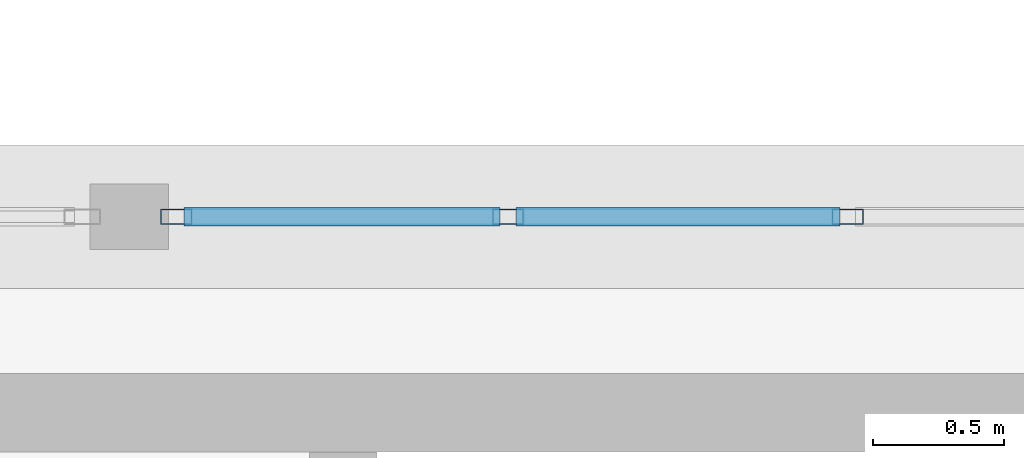
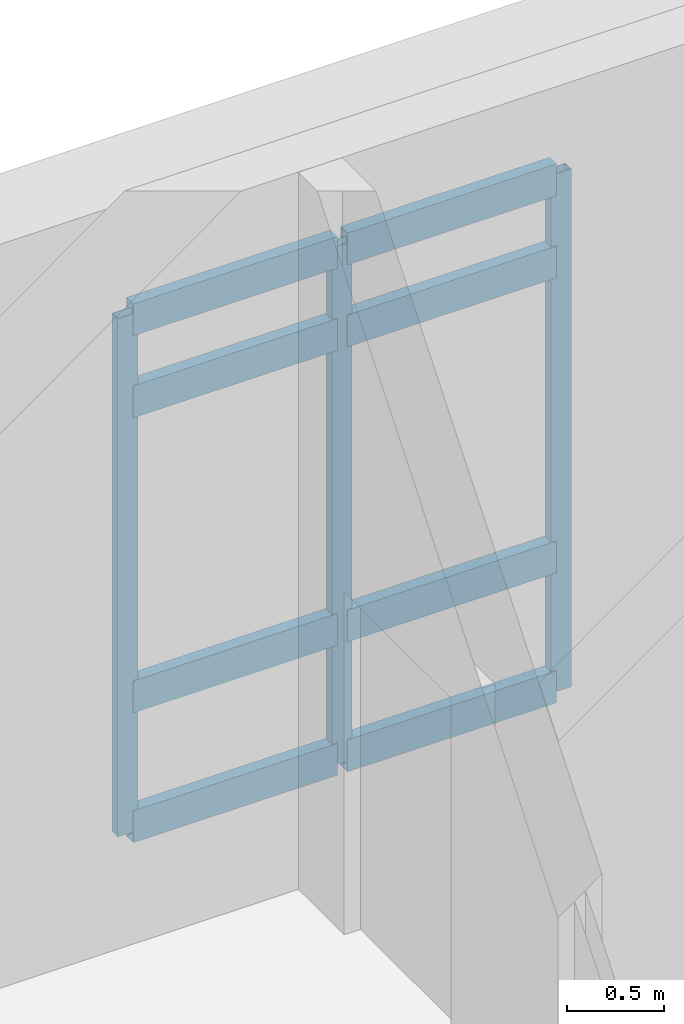
# One storey, part 26 of 80: 11 members, 1 element without a shape of its own.
"""IFC4 building model written with IfcOpenShell, lengths in metres."""

import ifcopenshell
import ifcopenshell.guid

model = None  # the IFC model being written
_history = None  # IfcOwnerHistory: only IFC2X3 demands one
_inside = {}  # id of a spatial element -> (the spatial element, [elements in it])
_under = {}  # id of a project, library or spatial element -> (it, [spatial elements below it])
_declared = {}  # id of a project -> (the project, [libraries it declares])
_typed = {}  # id of a type object -> (the type object, [elements of that type])
_made_of = {}  # id of a material, layer set ... -> (it, [elements and type objects made of it])


def new_model(schema):
    """Start an empty IFC model of exactly this schema.

    Asked for "IFC4X3", IfcOpenShell would pick the latest addendum, in which some entities
    have other attributes; the version numbers below select the first issue.
    IFC2X3 requires an IfcOwnerHistory on every rooted entity: one is made here for all.
    """
    global model, _history
    if schema == "IFC4X3":
        model = ifcopenshell.file(schema_version=(4, 3, 0, 0))
    else:
        model = ifcopenshell.file(schema=schema)
    _inside.clear()
    _under.clear()
    _declared.clear()
    _typed.clear()
    _made_of.clear()
    _history = None
    if model.schema == "IFC2X3":
        org = make("IfcOrganization", Name="unknown")
        user = make(
            "IfcPersonAndOrganization",
            ThePerson=make("IfcPerson", FamilyName="unknown"),
            TheOrganization=org,
        )
        app = make(
            "IfcApplication",
            ApplicationDeveloper=org,
            Version="unknown",
            ApplicationFullName="unknown",
            ApplicationIdentifier="unknown",
        )
        _history = make(
            "IfcOwnerHistory",
            OwningUser=user,
            OwningApplication=app,
            ChangeAction="ADDED",
            CreationDate=0,
        )
    return model


def make(cls, **values):
    """One entity of the class cls with the attributes given. An attribute that is None is left unset."""
    return model.create_entity(
        cls, **{name: value for name, value in values.items() if value is not None}
    )


def rooted(cls, **values):
    """An entity with a GlobalId (a new one), such as an element, a storey or a relation."""
    return make(cls, GlobalId=ifcopenshell.guid.new(), OwnerHistory=_history, **values)


def si_unit(unit_type, name, prefix=None):
    """IfcSIUnit, for example si_unit("LENGTHUNIT", "METRE", prefix="MILLI")."""
    return make("IfcSIUnit", UnitType=unit_type, Prefix=prefix, Name=name)


def assignment(units):
    """IfcUnitAssignment: the units of a project."""
    return None if units is None else make("IfcUnitAssignment", Units=units)


def point(xyz):
    """IfcCartesianPoint."""
    return None if xyz is None else make("IfcCartesianPoint", Coordinates=xyz)


def direction(xyz):
    """IfcDirection."""
    return None if xyz is None else make("IfcDirection", DirectionRatios=xyz)


def frame(location, z_axis=None, x_axis=None):
    """IfcAxis2Placement3D, a coordinate frame: its origin and axes. An axis left out is left unset."""
    return make(
        "IfcAxis2Placement3D",
        Location=point(location),
        Axis=direction(z_axis),
        RefDirection=direction(x_axis),
    )


def frame_2d(location, x_axis=None):
    """IfcAxis2Placement2D, a coordinate frame in the plane: its origin and x axis."""
    return make(
        "IfcAxis2Placement2D", Location=point(location), RefDirection=direction(x_axis)
    )


def origin():
    """The frame at (0, 0, 0) with its axes left unset."""
    return frame((0.0, 0.0, 0.0))


def origin_2d():
    """The frame at (0, 0) in the plane with its x axis left unset."""
    return frame_2d((0.0, 0.0))


def place(relative_to, where):
    """IfcLocalPlacement: puts the frame where relative to a parent placement (None: the world)."""
    return make(
        "IfcLocalPlacement", PlacementRelTo=relative_to, RelativePlacement=where
    )


def context(
    kind, dimensions, precision=None, world=None, true_north=None, identifier=None
):
    """IfcGeometricRepresentationContext, for example the 3D "Model" context."""
    return make(
        "IfcGeometricRepresentationContext",
        ContextIdentifier=identifier,
        ContextType=kind,
        CoordinateSpaceDimension=dimensions,
        Precision=precision,
        WorldCoordinateSystem=world,
        TrueNorth=true_north,
    )


def subcontext(parent, identifier, kind, view, scale=None):
    """IfcGeometricRepresentationSubContext, for example "Body" below "Model"."""
    return make(
        "IfcGeometricRepresentationSubContext",
        ContextIdentifier=identifier,
        ContextType=kind,
        ParentContext=parent,
        TargetScale=scale,
        TargetView=view,
    )


def project(units=None, contexts=None):
    """IfcProject with its units and contexts."""
    return rooted(
        "IfcProject",
        Name="project",
        RepresentationContexts=contexts,
        UnitsInContext=assignment(units),
    )


def spatial(cls, under=None, at=None, **own):
    """A site, building, storey or space (cls), placed at a placement, below another one or the project."""
    s = rooted(cls, ObjectPlacement=at, **own)
    if under is not None:
        _under.setdefault(under.id(), (under, []))[1].append(s)
    return s


def profile(cls, at=None, kind="AREA", **sizes):
    """A parametric profile (cls). Its sizes go by their IFC names, for example OverallWidth=200.0."""
    return make(cls, ProfileType=kind, Position=at, **sizes)


def hollow_rectangle(**sizes):
    """IfcRectangleHollowProfileDef."""
    return profile("IfcRectangleHollowProfileDef", **sizes)


def extrude(swept, where, along, depth):
    """IfcExtrudedAreaSolid: the profile swept, set in the frame where, extruded along a direction by depth."""
    return make(
        "IfcExtrudedAreaSolid",
        SweptArea=swept,
        Position=where,
        ExtrudedDirection=direction(along),
        Depth=depth,
    )


def shape(context_of_items, identifier, shape_type, items):
    """IfcShapeRepresentation: the items that make up one representation, for example the "Body"."""
    return make(
        "IfcShapeRepresentation",
        ContextOfItems=context_of_items,
        RepresentationIdentifier=identifier,
        RepresentationType=shape_type,
        Items=items,
    )


def material(Name=None, Category=None):
    """IfcMaterial."""
    return make("IfcMaterial", Name=Name, Category=Category)


def layer(
    of_material, thickness, ventilated=None, Name=None, Category=None, Priority=None
):
    """IfcMaterialLayer: one layer of a wall or slab, of a material (None: an air gap)."""
    return make(
        "IfcMaterialLayer",
        Material=of_material,
        LayerThickness=thickness,
        IsVentilated=ventilated,
        Name=Name,
        Category=Category,
        Priority=Priority,
    )


def layer_set(layers, Name=None):
    """IfcMaterialLayerSet."""
    return make("IfcMaterialLayerSet", MaterialLayers=layers, LayerSetName=Name)


def material_profile(
    of_material, cross_section, Name=None, Category=None, Priority=None
):
    """IfcMaterialProfile: a cross section and its material."""
    return make(
        "IfcMaterialProfile",
        Name=Name,
        Material=of_material,
        Profile=cross_section,
        Priority=Priority,
        Category=Category,
    )


def profile_set(profiles, Name=None, composite=None):
    """IfcMaterialProfileSet."""
    return make(
        "IfcMaterialProfileSet",
        Name=Name,
        MaterialProfiles=profiles,
        CompositeProfile=composite,
    )


def made_of(thing, what):
    """Note that an element or type object is made of a material, layer set ...; save() writes the relation."""
    if what is not None:
        _made_of.setdefault(what.id(), (what, []))[1].append(thing)
    return thing


def type_object(cls, material=None, **own):
    """A type object (cls), such as IfcWallType, which elements share."""
    return made_of(rooted(cls, **own), material)


def element(
    cls,
    number,
    at=None,
    inside=None,
    cuts=None,
    type_object=None,
    material=None,
    context=None,
    identifier="Body",
    shape_type=None,
    held_by="IfcProductDefinitionShape",
    body=None,
    shapes=None,
    **own,
):
    """One element of the class cls, such as IfcWall. Its Tag is "e" and its number.

    at: its placement. inside: the storey or other place that contains it. cuts: it is an
    opening in that element (IfcRelVoidsElement). A single representation is given by context,
    identifier, shape_type and body (its items); several are given by shapes. held_by: the class
    of the entity that holds the representations. save() writes the other relations.
    """
    e = rooted(cls, Tag="e%d" % number, ObjectPlacement=at, **own)
    if body is not None:
        shapes = [shape(context, identifier, shape_type, body)]
    if shapes is not None:
        e.Representation = make(held_by, Representations=shapes)
    if inside is not None:
        _inside.setdefault(inside.id(), (inside, []))[1].append(e)
    if cuts is not None:
        rooted(
            "IfcRelVoidsElement", RelatingBuildingElement=cuts, RelatedOpeningElement=e
        )
    if type_object is not None:
        _typed.setdefault(type_object.id(), (type_object, []))[1].append(e)
    return made_of(e, material)


def aggregate(whole, parts):
    """IfcRelAggregates: a whole, such as a stair, and the parts it consists of."""
    return rooted("IfcRelAggregates", RelatingObject=whole, RelatedObjects=parts)


def save(model, path):
    """Write the relations noted so far, then the file.

    IfcRelAggregates (storeys below a building ...), IfcRelContainedInSpatialStructure (elements
    in a storey), IfcRelDefinesByType, IfcRelAssociatesMaterial and IfcRelDeclares: one each for
    every whole, place, type object, material and project.
    """
    for whole, parts in _under.values():
        aggregate(whole, parts)
    for where, things in _inside.values():
        rooted(
            "IfcRelContainedInSpatialStructure",
            RelatedElements=things,
            RelatingStructure=where,
        )
    for kind, things in _typed.values():
        rooted("IfcRelDefinesByType", RelatedObjects=things, RelatingType=kind)
    for what, things in _made_of.values():
        rooted("IfcRelAssociatesMaterial", RelatedObjects=things, RelatingMaterial=what)
    for by, libraries in _declared.values():
        rooted("IfcRelDeclares", RelatingContext=by, RelatedDefinitions=libraries)
    model.write(path)


model = new_model("IFC4")

# Units and contexts
model_context = context("Model", 3, precision=1e-05, world=origin(), true_north=direction((0.0, 1.0)))
body_context = subcontext(model_context, "Body", "Model", "MODEL_VIEW")
ifc_project = project(units=[si_unit("LENGTHUNIT", "METRE"), si_unit("AREAUNIT", "SQUARE_METRE"), si_unit("VOLUMEUNIT", "CUBIC_METRE"), si_unit("PLANEANGLEUNIT", "RADIAN"), si_unit("MASSUNIT", "GRAM", prefix="KILO")], contexts=[model_context])

# Site, building, storey
site_placement = place(None, origin())
site = spatial("IfcSite", under=ifc_project, at=site_placement, CompositionType="ELEMENT")
building_placement = place(site_placement, origin())
building = spatial("IfcBuilding", under=site, at=building_placement, Name="Fikremerkos Civic Library", CompositionType="ELEMENT")
storey_placement = place(building_placement, frame((0.0, 0.0, 9.89990234375)))
storey = spatial("IfcBuildingStorey", under=building, at=storey_placement, Name="L02", CompositionType="ELEMENT", Elevation=9.89990234375)

# Curtain wall, members
ifc_material = material(Name="Anodized aluminium Frame", Category="aluminium")
ifc_layer = layer(ifc_material, 0.159912109375, Name="Anodized aluminium Frame")
ifc_layer_set = layer_set([ifc_layer], Name="Anodized aluminium Frame")
curtain_wall_type = type_object("IfcCurtainWallType", Name="Unitised curtain wall CW-08 4500x4100", PredefinedType="USERDEFINED", material=ifc_layer_set)
curtain_wall_placement = place(storey_placement, origin())
curtain_wall = element("IfcCurtainWall", 1, at=curtain_wall_placement, inside=storey, type_object=curtain_wall_type, Name="Unitised curtain wall CW-08 L02 #170", ObjectType="UNITISED CURTAIN WALL", PredefinedType="USERDEFINED")
ifc_material_profile_1 = material_profile(ifc_material, hollow_rectangle(XDim=0.06005859375, YDim=0.1201171875, WallThickness=0.00390625, at=origin_2d()), Name="ALU 120x60x4")
ifc_profile_set_1 = profile_set([ifc_material_profile_1], Name="Anodized aluminium Frame")
member_type_1 = type_object("IfcMemberType", Name="Curtain mullion CWM-04 ALU 120x60x4", PredefinedType="MULLION", material=ifc_profile_set_1)
member_1_placement = place(storey_placement, frame((109.130615234375, 31.199951171875, 0.0), z_axis=(0.0, 0.0, 1.0), x_axis=(0.0, 1.0, 0.0)))
member_1 = element("IfcMember", 2, at=member_1_placement, type_object=member_type_1, Name="CW-08 mullion 1", PredefinedType="MULLION", context=body_context, shape_type="SweptSolid", body=[
    extrude(hollow_rectangle(XDim=0.06005859375, YDim=0.1201171875, WallThickness=0.00390625, at=origin_2d()), origin(), (0.0, 0.0, 1.0), 3.25),
])
member_2_placement = place(storey_placement, frame((110.401123046875, 31.199951171875, 0.0), z_axis=(0.0, 0.0, 1.0), x_axis=(0.0, 1.0, 0.0)))
member_2 = element("IfcMember", 3, at=member_2_placement, type_object=member_type_1, Name="CW-08 mullion 2", PredefinedType="MULLION", context=body_context, shape_type="SweptSolid", body=[
    extrude(hollow_rectangle(XDim=0.06005859375, YDim=0.1201171875, WallThickness=0.00390625, at=origin_2d()), origin(), (0.0, 0.0, 1.0), 3.25),
])
member_3_placement = place(storey_placement, frame((111.70166015625, 31.199951171875, 0.0), z_axis=(0.0, 0.0, 1.0), x_axis=(0.0, 1.0, 0.0)))
member_3 = element("IfcMember", 4, at=member_3_placement, type_object=member_type_1, Name="CW-08 mullion 3", PredefinedType="MULLION", context=body_context, shape_type="SweptSolid", body=[
    extrude(hollow_rectangle(XDim=0.06005859375, YDim=0.1201171875, WallThickness=0.00390625, at=origin_2d()), origin(), (0.0, 0.0, 1.0), 3.25),
])
ifc_material_profile_2 = material_profile(ifc_material, hollow_rectangle(XDim=0.070068359375, YDim=0.199951171875, WallThickness=0.0048828125, at=origin_2d()), Name="ALU 200x70x5")
ifc_profile_set_2 = profile_set([ifc_material_profile_2], Name="Anodized aluminium Frame")
member_type_2 = type_object("IfcMemberType", Name="Curtain transom CWT-04 ALU 200x70x5", PredefinedType="USERDEFINED", material=ifc_profile_set_2)
member_4_placement = place(storey_placement, frame((109.16064453125, 31.199951171875, 0.03515625), z_axis=(1.0, 0.0, 0.0), x_axis=(0.0, 1.0, 0.0)))
member_4 = element("IfcMember", 5, at=member_4_placement, type_object=member_type_2, Name="CW-08 transom 1.1", ObjectType="TRANSOM", PredefinedType="USERDEFINED", context=body_context, shape_type="SweptSolid", body=[
    extrude(hollow_rectangle(XDim=0.070068359375, YDim=0.199951171875, WallThickness=0.0048828125, at=origin_2d()), origin(), (0.0, 0.0, 1.0), 1.21044921875),
])
member_5_placement = place(storey_placement, frame((109.16064453125, 31.199951171875, 0.85009765625), z_axis=(1.0, 0.0, 0.0), x_axis=(0.0, 1.0, 0.0)))
member_5 = element("IfcMember", 6, at=member_5_placement, type_object=member_type_2, Name="CW-08 transom 1.2", ObjectType="TRANSOM", PredefinedType="USERDEFINED", context=body_context, shape_type="SweptSolid", body=[
    extrude(hollow_rectangle(XDim=0.070068359375, YDim=0.199951171875, WallThickness=0.0048828125, at=origin_2d()), origin(), (0.0, 0.0, 1.0), 1.21044921875),
])
member_6_placement = place(storey_placement, frame((109.16064453125, 31.199951171875, 2.7001953125), z_axis=(1.0, 0.0, 0.0), x_axis=(0.0, 1.0, 0.0)))
member_6 = element("IfcMember", 7, at=member_6_placement, type_object=member_type_2, Name="CW-08 transom 1.3", ObjectType="TRANSOM", PredefinedType="USERDEFINED", context=body_context, shape_type="SweptSolid", body=[
    extrude(hollow_rectangle(XDim=0.070068359375, YDim=0.199951171875, WallThickness=0.0048828125, at=origin_2d()), origin(), (0.0, 0.0, 1.0), 1.21044921875),
])
member_7_placement = place(storey_placement, frame((109.16064453125, 31.199951171875, 3.215087890625), z_axis=(1.0, 0.0, 0.0), x_axis=(0.0, 1.0, 0.0)))
member_7 = element("IfcMember", 8, at=member_7_placement, type_object=member_type_2, Name="CW-08 transom 1.4", ObjectType="TRANSOM", PredefinedType="USERDEFINED", context=body_context, shape_type="SweptSolid", body=[
    extrude(hollow_rectangle(XDim=0.070068359375, YDim=0.199951171875, WallThickness=0.0048828125, at=origin_2d()), origin(), (0.0, 0.0, 1.0), 1.21044921875),
])
member_8_placement = place(storey_placement, frame((110.43115234375, 31.199951171875, 0.03515625), z_axis=(1.0, 0.0, 0.0), x_axis=(0.0, 1.0, 0.0)))
member_8 = element("IfcMember", 9, at=member_8_placement, type_object=member_type_2, Name="CW-08 transom 2.1", ObjectType="TRANSOM", PredefinedType="USERDEFINED", context=body_context, shape_type="SweptSolid", body=[
    extrude(hollow_rectangle(XDim=0.070068359375, YDim=0.199951171875, WallThickness=0.0048828125, at=origin_2d()), origin(), (0.0, 0.0, 1.0), 1.240478515625),
])
member_9_placement = place(storey_placement, frame((110.43115234375, 31.199951171875, 0.85009765625), z_axis=(1.0, 0.0, 0.0), x_axis=(0.0, 1.0, 0.0)))
member_9 = element("IfcMember", 10, at=member_9_placement, type_object=member_type_2, Name="CW-08 transom 2.2", ObjectType="TRANSOM", PredefinedType="USERDEFINED", context=body_context, shape_type="SweptSolid", body=[
    extrude(hollow_rectangle(XDim=0.070068359375, YDim=0.199951171875, WallThickness=0.0048828125, at=origin_2d()), origin(), (0.0, 0.0, 1.0), 1.240478515625),
])
member_10_placement = place(storey_placement, frame((110.43115234375, 31.199951171875, 2.7001953125), z_axis=(1.0, 0.0, 0.0), x_axis=(0.0, 1.0, 0.0)))
member_10 = element("IfcMember", 11, at=member_10_placement, type_object=member_type_2, Name="CW-08 transom 2.3", ObjectType="TRANSOM", PredefinedType="USERDEFINED", context=body_context, shape_type="SweptSolid", body=[
    extrude(hollow_rectangle(XDim=0.070068359375, YDim=0.199951171875, WallThickness=0.0048828125, at=origin_2d()), origin(), (0.0, 0.0, 1.0), 1.240478515625),
])
member_11_placement = place(storey_placement, frame((110.43115234375, 31.199951171875, 3.215087890625), z_axis=(1.0, 0.0, 0.0), x_axis=(0.0, 1.0, 0.0)))
member_11 = element("IfcMember", 12, at=member_11_placement, type_object=member_type_2, Name="CW-08 transom 2.4", ObjectType="TRANSOM", PredefinedType="USERDEFINED", context=body_context, shape_type="SweptSolid", body=[
    extrude(hollow_rectangle(XDim=0.070068359375, YDim=0.199951171875, WallThickness=0.0048828125, at=origin_2d()), origin(), (0.0, 0.0, 1.0), 1.240478515625),
])
aggregate(curtain_wall, [member_1, member_2, member_3, member_4, member_5, member_6, member_7, member_8, member_9, member_10, member_11])

save(model, "model.ifc")
